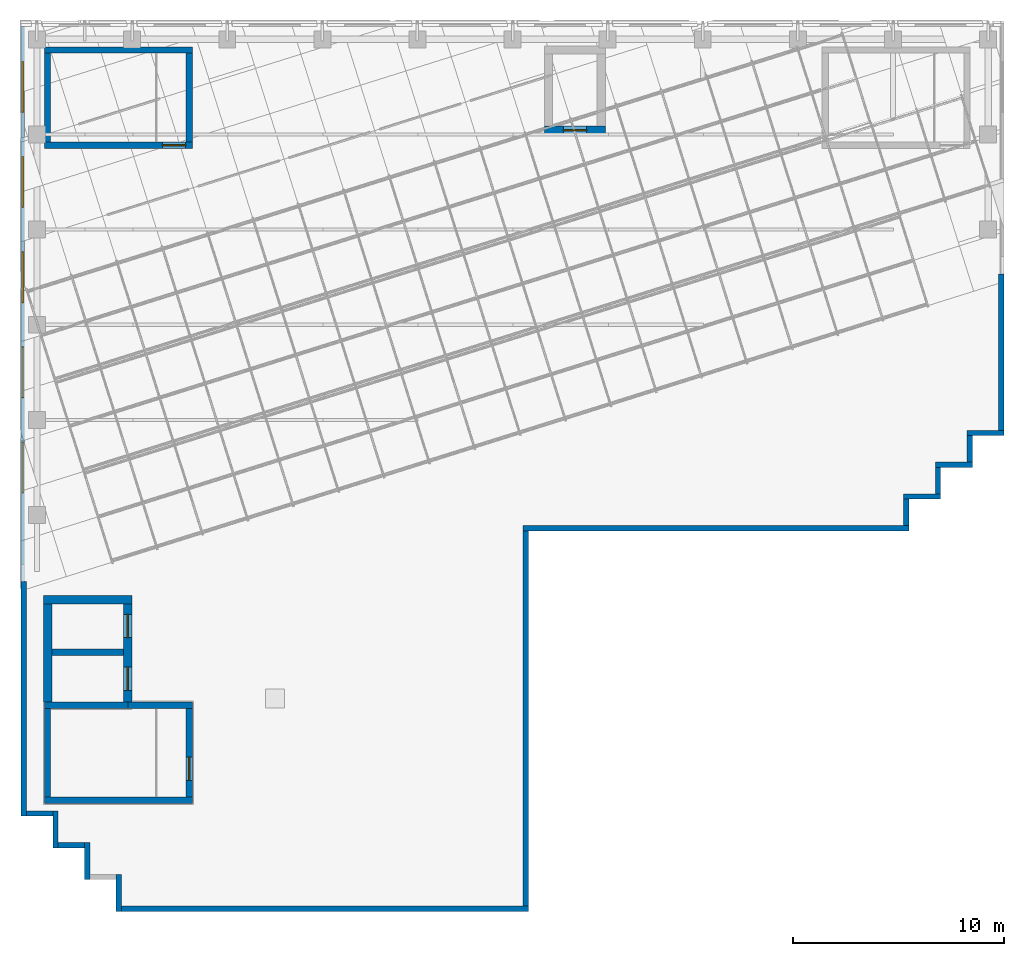
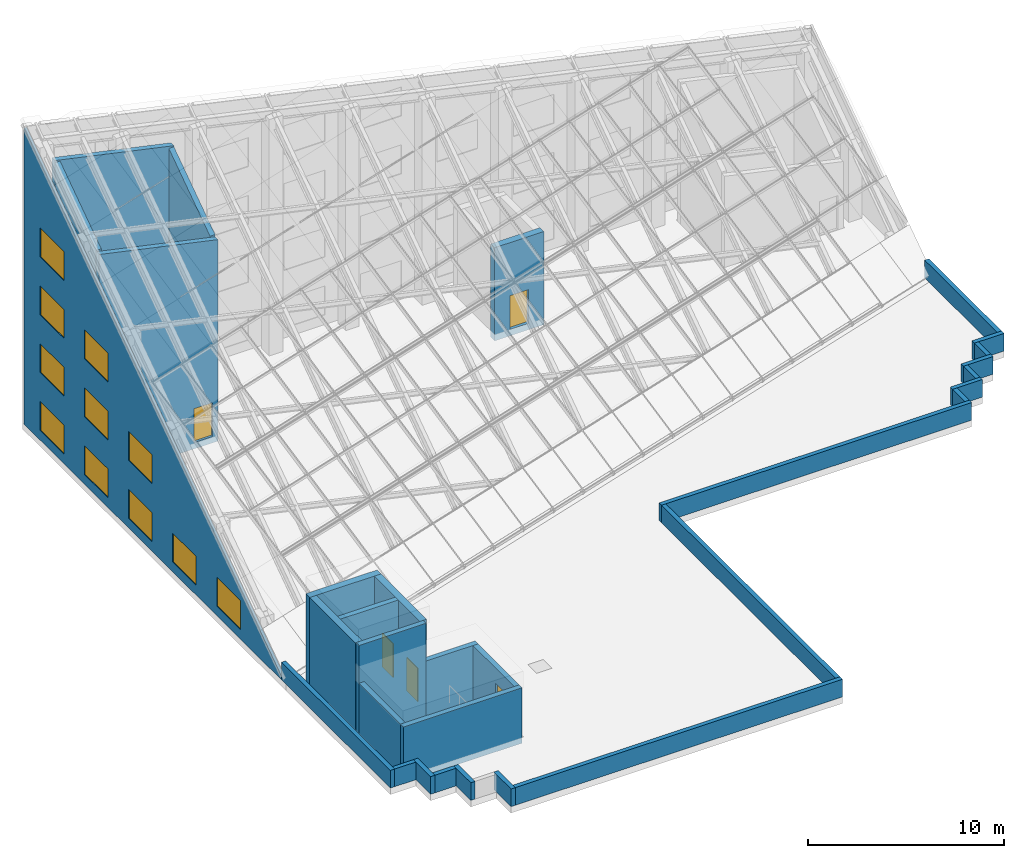
# One storey, part 10 of 14: 31 walls, 11 windows, 5 doors, 16 openings.
"""IFC4 building model written with IfcOpenShell, lengths in metres."""

import ifcopenshell
import ifcopenshell.guid

model = None  # the IFC model being written
_history = None  # IfcOwnerHistory: only IFC2X3 demands one
_inside = {}  # id of a spatial element -> (the spatial element, [elements in it])
_under = {}  # id of a project, library or spatial element -> (it, [spatial elements below it])
_declared = {}  # id of a project -> (the project, [libraries it declares])
_typed = {}  # id of a type object -> (the type object, [elements of that type])
_made_of = {}  # id of a material, layer set ... -> (it, [elements and type objects made of it])


def new_model(schema):
    """Start an empty IFC model of exactly this schema.

    Asked for "IFC4X3", IfcOpenShell would pick the latest addendum, in which some entities
    have other attributes; the version numbers below select the first issue.
    IFC2X3 requires an IfcOwnerHistory on every rooted entity: one is made here for all.
    """
    global model, _history
    if schema == "IFC4X3":
        model = ifcopenshell.file(schema_version=(4, 3, 0, 0))
    else:
        model = ifcopenshell.file(schema=schema)
    _inside.clear()
    _under.clear()
    _declared.clear()
    _typed.clear()
    _made_of.clear()
    _history = None
    if model.schema == "IFC2X3":
        org = make("IfcOrganization", Name="unknown")
        user = make(
            "IfcPersonAndOrganization",
            ThePerson=make("IfcPerson", FamilyName="unknown"),
            TheOrganization=org,
        )
        app = make(
            "IfcApplication",
            ApplicationDeveloper=org,
            Version="unknown",
            ApplicationFullName="unknown",
            ApplicationIdentifier="unknown",
        )
        _history = make(
            "IfcOwnerHistory",
            OwningUser=user,
            OwningApplication=app,
            ChangeAction="ADDED",
            CreationDate=0,
        )
    return model


def make(cls, **values):
    """One entity of the class cls with the attributes given. An attribute that is None is left unset."""
    return model.create_entity(
        cls, **{name: value for name, value in values.items() if value is not None}
    )


def rooted(cls, **values):
    """An entity with a GlobalId (a new one), such as an element, a storey or a relation."""
    return make(cls, GlobalId=ifcopenshell.guid.new(), OwnerHistory=_history, **values)


def si_unit(unit_type, name, prefix=None):
    """IfcSIUnit, for example si_unit("LENGTHUNIT", "METRE", prefix="MILLI")."""
    return make("IfcSIUnit", UnitType=unit_type, Prefix=prefix, Name=name)


def assignment(units):
    """IfcUnitAssignment: the units of a project."""
    return None if units is None else make("IfcUnitAssignment", Units=units)


def point(xyz):
    """IfcCartesianPoint."""
    return None if xyz is None else make("IfcCartesianPoint", Coordinates=xyz)


def direction(xyz):
    """IfcDirection."""
    return None if xyz is None else make("IfcDirection", DirectionRatios=xyz)


def frame(location, z_axis=None, x_axis=None):
    """IfcAxis2Placement3D, a coordinate frame: its origin and axes. An axis left out is left unset."""
    return make(
        "IfcAxis2Placement3D",
        Location=point(location),
        Axis=direction(z_axis),
        RefDirection=direction(x_axis),
    )


def frame_2d(location, x_axis=None):
    """IfcAxis2Placement2D, a coordinate frame in the plane: its origin and x axis."""
    return make(
        "IfcAxis2Placement2D", Location=point(location), RefDirection=direction(x_axis)
    )


def origin():
    """The frame at (0, 0, 0) with its axes left unset."""
    return frame((0.0, 0.0, 0.0))


def place(relative_to, where):
    """IfcLocalPlacement: puts the frame where relative to a parent placement (None: the world)."""
    return make(
        "IfcLocalPlacement", PlacementRelTo=relative_to, RelativePlacement=where
    )


def context(
    kind, dimensions, precision=None, world=None, true_north=None, identifier=None
):
    """IfcGeometricRepresentationContext, for example the 3D "Model" context."""
    return make(
        "IfcGeometricRepresentationContext",
        ContextIdentifier=identifier,
        ContextType=kind,
        CoordinateSpaceDimension=dimensions,
        Precision=precision,
        WorldCoordinateSystem=world,
        TrueNorth=true_north,
    )


def subcontext(parent, identifier, kind, view, scale=None):
    """IfcGeometricRepresentationSubContext, for example "Body" below "Model"."""
    return make(
        "IfcGeometricRepresentationSubContext",
        ContextIdentifier=identifier,
        ContextType=kind,
        ParentContext=parent,
        TargetScale=scale,
        TargetView=view,
    )


def project(units=None, contexts=None):
    """IfcProject with its units and contexts."""
    return rooted(
        "IfcProject",
        Name="project",
        RepresentationContexts=contexts,
        UnitsInContext=assignment(units),
    )


def spatial(cls, under=None, at=None, **own):
    """A site, building, storey or space (cls), placed at a placement, below another one or the project."""
    s = rooted(cls, ObjectPlacement=at, **own)
    if under is not None:
        _under.setdefault(under.id(), (under, []))[1].append(s)
    return s


def polyline(points):
    """IfcPolyline through the points."""
    return make("IfcPolyline", Points=[point(p) for p in points])


def profile(cls, at=None, kind="AREA", **sizes):
    """A parametric profile (cls). Its sizes go by their IFC names, for example OverallWidth=200.0."""
    return make(cls, ProfileType=kind, Position=at, **sizes)


def rectangle(**sizes):
    """IfcRectangleProfileDef."""
    return profile("IfcRectangleProfileDef", **sizes)


def outline(outer, holes=None, kind="AREA"):
    """IfcArbitraryClosedProfileDef: a profile drawn as a closed curve; with holes, ...WithVoids."""
    if holes is None:
        return make("IfcArbitraryClosedProfileDef", ProfileType=kind, OuterCurve=outer)
    return make(
        "IfcArbitraryProfileDefWithVoids",
        ProfileType=kind,
        OuterCurve=outer,
        InnerCurves=holes,
    )


def extrude(swept, where, along, depth):
    """IfcExtrudedAreaSolid: the profile swept, set in the frame where, extruded along a direction by depth."""
    return make(
        "IfcExtrudedAreaSolid",
        SweptArea=swept,
        Position=where,
        ExtrudedDirection=direction(along),
        Depth=depth,
    )


def shape(context_of_items, identifier, shape_type, items):
    """IfcShapeRepresentation: the items that make up one representation, for example the "Body"."""
    return make(
        "IfcShapeRepresentation",
        ContextOfItems=context_of_items,
        RepresentationIdentifier=identifier,
        RepresentationType=shape_type,
        Items=items,
    )


def material(Name=None, Category=None):
    """IfcMaterial."""
    return make("IfcMaterial", Name=Name, Category=Category)


def layer(
    of_material, thickness, ventilated=None, Name=None, Category=None, Priority=None
):
    """IfcMaterialLayer: one layer of a wall or slab, of a material (None: an air gap)."""
    return make(
        "IfcMaterialLayer",
        Material=of_material,
        LayerThickness=thickness,
        IsVentilated=ventilated,
        Name=Name,
        Category=Category,
        Priority=Priority,
    )


def layer_set(layers, Name=None):
    """IfcMaterialLayerSet."""
    return make("IfcMaterialLayerSet", MaterialLayers=layers, LayerSetName=Name)


def made_of(thing, what):
    """Note that an element or type object is made of a material, layer set ...; save() writes the relation."""
    if what is not None:
        _made_of.setdefault(what.id(), (what, []))[1].append(thing)
    return thing


def type_object(cls, material=None, **own):
    """A type object (cls), such as IfcWallType, which elements share."""
    return made_of(rooted(cls, **own), material)


def element(
    cls,
    number,
    at=None,
    inside=None,
    cuts=None,
    type_object=None,
    material=None,
    context=None,
    identifier="Body",
    shape_type=None,
    held_by="IfcProductDefinitionShape",
    body=None,
    shapes=None,
    **own,
):
    """One element of the class cls, such as IfcWall. Its Tag is "e" and its number.

    at: its placement. inside: the storey or other place that contains it. cuts: it is an
    opening in that element (IfcRelVoidsElement). A single representation is given by context,
    identifier, shape_type and body (its items); several are given by shapes. held_by: the class
    of the entity that holds the representations. save() writes the other relations.
    """
    e = rooted(cls, Tag="e%d" % number, ObjectPlacement=at, **own)
    if body is not None:
        shapes = [shape(context, identifier, shape_type, body)]
    if shapes is not None:
        e.Representation = make(held_by, Representations=shapes)
    if inside is not None:
        _inside.setdefault(inside.id(), (inside, []))[1].append(e)
    if cuts is not None:
        rooted(
            "IfcRelVoidsElement", RelatingBuildingElement=cuts, RelatedOpeningElement=e
        )
    if type_object is not None:
        _typed.setdefault(type_object.id(), (type_object, []))[1].append(e)
    return made_of(e, material)


def fill(opening, filler):
    """IfcRelFillsElement: the door or window that sits in an opening."""
    return rooted(
        "IfcRelFillsElement",
        RelatingOpeningElement=opening,
        RelatedBuildingElement=filler,
    )


def aggregate(whole, parts):
    """IfcRelAggregates: a whole, such as a stair, and the parts it consists of."""
    return rooted("IfcRelAggregates", RelatingObject=whole, RelatedObjects=parts)


def save(model, path):
    """Write the relations noted so far, then the file.

    IfcRelAggregates (storeys below a building ...), IfcRelContainedInSpatialStructure (elements
    in a storey), IfcRelDefinesByType, IfcRelAssociatesMaterial and IfcRelDeclares: one each for
    every whole, place, type object, material and project.
    """
    for whole, parts in _under.values():
        aggregate(whole, parts)
    for where, things in _inside.values():
        rooted(
            "IfcRelContainedInSpatialStructure",
            RelatedElements=things,
            RelatingStructure=where,
        )
    for kind, things in _typed.values():
        rooted("IfcRelDefinesByType", RelatedObjects=things, RelatingType=kind)
    for what, things in _made_of.values():
        rooted("IfcRelAssociatesMaterial", RelatedObjects=things, RelatingMaterial=what)
    for by, libraries in _declared.values():
        rooted("IfcRelDeclares", RelatingContext=by, RelatedDefinitions=libraries)
    model.write(path)


model = new_model("IFC4")

# Units and contexts
model_context = context("Model", 3, precision=1e-05, world=origin(), true_north=direction((0.0, 1.0)))
body_context = subcontext(model_context, "Body", "Model", "MODEL_VIEW")
ifc_project = project(units=[si_unit("LENGTHUNIT", "METRE"), si_unit("AREAUNIT", "SQUARE_METRE"), si_unit("VOLUMEUNIT", "CUBIC_METRE"), si_unit("PLANEANGLEUNIT", "RADIAN"), si_unit("MASSUNIT", "GRAM", prefix="KILO")], contexts=[model_context])

# Site, building, storey
site_placement = place(None, origin())
site = spatial("IfcSite", under=ifc_project, at=site_placement, CompositionType="ELEMENT")
building_placement = place(site_placement, origin())
building = spatial("IfcBuilding", under=site, at=building_placement, Name="Firuza Court", CompositionType="ELEMENT")
storey_placement = place(building_placement, frame((0.0, 0.0, 266.199951171875)))
storey = spatial("IfcBuildingStorey", under=building, at=storey_placement, Name="L68 Crown", CompositionType="ELEMENT", Elevation=266.199951171875)

# Walls
ifc_material_1 = material(Name="Concrete C50/60", Category="concrete")
ifc_layer_1 = layer(ifc_material_1, 0.300048828125)
ifc_layer_set_1 = layer_set([ifc_layer_1], Name="Concrete C50/60")
wall_type_1 = type_object("IfcWallType", Name="Core wall 300 C50/60", PredefinedType="SHEAR", material=ifc_layer_set_1)
wall_1_placement = place(storey_placement, frame((0.35009765625, 22.5, -0.39990234375), z_axis=(0.0, 0.0, 1.0), x_axis=(1.0, 0.0, 0.0)))
element("IfcWall", 1, at=wall_1_placement, inside=storey, type_object=wall_type_1, Name="Core wall stair L68", PredefinedType="SHEAR", context=body_context, shape_type="SweptSolid", body=[
    extrude(rectangle(XDim=7.0, YDim=0.300048828125, at=frame_2d((3.5, 0.0))), origin(), (0.0, 0.0, 1.0), 3.449951171875),
])
wall_2_placement = place(storey_placement, frame((0.35009765625, 27.0, -0.39990234375), z_axis=(0.0, 0.0, 1.0), x_axis=(1.0, 0.0, 0.0)))
element("IfcWall", 2, at=wall_2_placement, inside=storey, type_object=wall_type_1, Name="Core wall lift shaft L68", PredefinedType="SHEAR", context=body_context, shape_type="SweptSolid", body=[
    extrude(rectangle(XDim=3.949951171875, YDim=0.300048828125, at=frame_2d((1.97509765625, 0.0))), origin(), (0.0, 0.0, 1.0), 5.800048828125),
])

# Wall, opening, door
wall_3_placement = place(storey_placement, frame((0.35009765625, 53.5, -0.39990234375), z_axis=(0.0, 0.0, 1.0), x_axis=(1.0, 0.0, 0.0)))
wall_3 = element("IfcWall", 3, at=wall_3_placement, inside=storey, type_object=wall_type_1, Name="Core wall stair L68", PredefinedType="SHEAR", context=body_context, shape_type="SweptSolid", body=[
    extrude(outline(polyline([(0.0, 0.0), (7.0, 0.0), (7.0, 12.529052734375), (0.0, 14.053955078125), (0.0, 0.0)])), frame((0.0, 0.14990234375, 0.0), z_axis=(0.0, -1.0, 0.0), x_axis=(1.0, 0.0, 0.0)), (0.0, 0.0, 1.0), 0.300048828125),
])
opening_1_placement = place(wall_3_placement, frame((5.580078125, 0.0, 0.39990234375)))
opening_1 = element("IfcOpeningElement", 4, at=opening_1_placement, cuts=wall_3, Name="Opening D68003", PredefinedType="OPENING", context=body_context, shape_type="SweptSolid", body=[
    extrude(rectangle(XDim=1.10009765625, YDim=2.10009765625, at=frame_2d((0.550048828125, 1.050048828125))), frame((0.0, 0.162109375, 0.0), z_axis=(0.0, -1.0, 0.0), x_axis=(1.0, 0.0, 0.0)), (0.0, 0.0, 1.0), 0.323974609375),
])
ifc_material_2 = material(Name="Timber door leaf in hardwood frame", Category="wood")
door_type_1 = type_object("IfcDoorType", Name="Stair door 1100", OperationType="SINGLE_SWING_LEFT", PredefinedType="DOOR", material=ifc_material_2)
door_1_placement = place(opening_1_placement, origin())
door_1 = element("IfcDoor", 5, at=door_1_placement, inside=storey, type_object=door_type_1, Name="Stair door S3", OperationType="SINGLE_SWING_LEFT", OverallHeight=2.10009765625, OverallWidth=1.10009765625, PredefinedType="DOOR", context=body_context, shape_type="SweptSolid", body=[
    extrude(rectangle(XDim=1.10009765625, YDim=2.10009765625, at=frame_2d((0.550048828125, 1.050048828125))), frame((0.0, 0.02490234375, 0.0), z_axis=(0.0, -1.0, 0.0), x_axis=(1.0, 0.0, 0.0)), (0.0, 0.0, 1.0), 0.050048828125),
])
fill(opening_1, door_1)

# Walls
wall_4_placement = place(storey_placement, frame((0.35009765625, 58.0, -0.39990234375), z_axis=(0.0, 0.0, 1.0), x_axis=(1.0, 0.0, 0.0)))
element("IfcWall", 6, at=wall_4_placement, inside=storey, type_object=wall_type_1, Name="Core wall stair L68", PredefinedType="SHEAR", context=body_context, shape_type="SweptSolid", body=[
    extrude(outline(polyline([(0.0, 0.0), (7.0, 0.0), (7.0, 15.64697265625), (0.0, 17.1728515625), (0.0, 0.0)])), frame((0.0, 0.14990234375, 0.0), z_axis=(0.0, -1.0, 0.0), x_axis=(1.0, 0.0, 0.0)), (0.0, 0.0, 1.0), 0.300048828125),
])
wall_5_placement = place(storey_placement, frame((0.5, 22.64990234375, -0.39990234375), z_axis=(0.0, 0.0, 1.0), x_axis=(0.0, 1.0, 0.0)))
element("IfcWall", 7, at=wall_5_placement, inside=storey, type_object=wall_type_1, Name="Core wall stair L68", PredefinedType="SHEAR", context=body_context, shape_type="SweptSolid", body=[
    extrude(rectangle(XDim=4.2001953125, YDim=0.300048828125, at=frame_2d((2.10009765625, 0.0))), origin(), (0.0, 0.0, 1.0), 3.449951171875),
])
wall_6_placement = place(storey_placement, frame((0.5, 53.64990234375, -0.39990234375), z_axis=(0.0, 0.0, 1.0), x_axis=(0.0, 1.0, 0.0)))
element("IfcWall", 8, at=wall_6_placement, inside=storey, type_object=wall_type_1, Name="Core wall stair L68", PredefinedType="SHEAR", context=body_context, shape_type="SweptSolid", body=[
    extrude(outline(polyline([(0.0, 0.0), (4.2001953125, 0.0), (4.199951171875, 17.035888671875), (0.0, 14.125), (0.0, 0.0)])), frame((0.0, 0.14990234375, 0.0), z_axis=(0.0, -1.0, 0.0), x_axis=(1.0, 0.0, 0.0)), (0.0, 0.0, 1.0), 0.300048828125),
])
wall_7_placement = place(storey_placement, frame((0.699951171875, 29.5, -0.39990234375), z_axis=(0.0, 0.0, 1.0), x_axis=(1.0, 0.0, 0.0)))
element("IfcWall", 9, at=wall_7_placement, inside=storey, type_object=wall_type_1, Name="Core wall lift shaft L68", PredefinedType="SHEAR", context=body_context, shape_type="SweptSolid", body=[
    extrude(rectangle(XDim=3.400146484375, YDim=0.300048828125, at=frame_2d((1.7001953125, 0.0))), origin(), (0.0, 0.0, 1.0), 5.800048828125),
])
wall_8_placement = place(storey_placement, frame((4.300048828125, 27.0, -0.39990234375), z_axis=(0.0, 0.0, 1.0), x_axis=(1.0, 0.0, 0.0)))
element("IfcWall", 10, at=wall_8_placement, inside=storey, type_object=wall_type_1, Name="Core wall stair L68", PredefinedType="SHEAR", context=body_context, shape_type="SweptSolid", body=[
    extrude(rectangle(XDim=3.050048828125, YDim=0.300048828125, at=frame_2d((1.52490234375, 0.0))), origin(), (0.0, 0.0, 1.0), 3.449951171875),
])

# Wall, opening, door
wall_9_placement = place(storey_placement, frame((7.199951171875, 22.64990234375, -0.39990234375), z_axis=(0.0, 0.0, 1.0), x_axis=(0.0, 1.0, 0.0)))
wall_9 = element("IfcWall", 11, at=wall_9_placement, inside=storey, type_object=wall_type_1, Name="Core wall stair L68", PredefinedType="SHEAR", context=body_context, shape_type="SweptSolid", body=[
    extrude(rectangle(XDim=4.2001953125, YDim=0.300048828125, at=frame_2d((2.10009765625, 0.0))), origin(), (0.0, 0.0, 1.0), 3.449951171875),
])
opening_2_placement = place(wall_9_placement, frame((0.800048828125, 0.0, 0.39990234375)))
opening_2 = element("IfcOpeningElement", 12, at=opening_2_placement, cuts=wall_9, Name="Opening D68002", PredefinedType="OPENING", context=body_context, shape_type="SweptSolid", body=[
    extrude(rectangle(XDim=1.10009765625, YDim=2.10009765625, at=frame_2d((0.550048828125, 1.050048828125))), frame((0.0, 0.162109375, 0.0), z_axis=(0.0, -1.0, 0.0), x_axis=(1.0, 0.0, 0.0)), (0.0, 0.0, 1.0), 0.323974609375),
])
door_2_placement = place(opening_2_placement, origin())
door_2 = element("IfcDoor", 13, at=door_2_placement, inside=storey, type_object=door_type_1, Name="Stair door S2", OperationType="SINGLE_SWING_LEFT", OverallHeight=2.10009765625, OverallWidth=1.10009765625, PredefinedType="DOOR", context=body_context, shape_type="SweptSolid", body=[
    extrude(rectangle(XDim=1.10009765625, YDim=2.10009765625, at=frame_2d((0.550048828125, 1.050048828125))), frame((0.0, 0.02490234375, 0.0), z_axis=(0.0, -1.0, 0.0), x_axis=(1.0, 0.0, 0.0)), (0.0, 0.0, 1.0), 0.050048828125),
])
fill(opening_2, door_2)

# Walls
wall_10_placement = place(storey_placement, frame((7.199951171875, 53.64990234375, -0.39990234375), z_axis=(0.0, 0.0, 1.0), x_axis=(0.0, 1.0, 0.0)))
element("IfcWall", 14, at=wall_10_placement, inside=storey, type_object=wall_type_1, Name="Core wall stair L68", PredefinedType="SHEAR", context=body_context, shape_type="SweptSolid", body=[
    extrude(outline(polyline([(0.0, 0.0), (4.2001953125, 0.0), (4.199951171875, 15.575927734375), (0.0, 12.6650390625), (0.0, 0.0)])), frame((0.0, 0.14990234375, 0.0), z_axis=(0.0, -1.0, 0.0), x_axis=(1.0, 0.0, 0.0)), (0.0, 0.0, 1.0), 0.300048828125),
])
ifc_layer_2 = layer(ifc_material_1, 0.39990234375)
ifc_layer_set_2 = layer_set([ifc_layer_2], Name="Concrete C50/60")
wall_type_2 = type_object("IfcWallType", Name="Core wall 400 C50/60", PredefinedType="SHEAR", material=ifc_layer_set_2)
wall_11_placement = place(storey_placement, frame((0.300048828125, 32.0, -0.39990234375), z_axis=(0.0, 0.0, 1.0), x_axis=(1.0, 0.0, 0.0)))
element("IfcWall", 15, at=wall_11_placement, inside=storey, type_object=wall_type_2, Name="Core wall lift shaft L68", PredefinedType="SHEAR", context=body_context, shape_type="SweptSolid", body=[
    extrude(rectangle(XDim=4.199951171875, YDim=0.39990234375, at=frame_2d((2.10009765625, 0.0))), origin(), (0.0, 0.0, 1.0), 5.800048828125),
])
wall_12_placement = place(storey_placement, frame((0.5, 27.14990234375, -0.39990234375), z_axis=(0.0, 0.0, 1.0), x_axis=(0.0, 1.0, 0.0)))
element("IfcWall", 16, at=wall_12_placement, inside=storey, type_object=wall_type_2, Name="Core wall lift shaft L68", PredefinedType="SHEAR", context=body_context, shape_type="SweptSolid", body=[
    extrude(rectangle(XDim=4.650146484375, YDim=0.39990234375, at=frame_2d((2.3251953125, 0.0))), origin(), (0.0, 0.0, 1.0), 5.800048828125),
])

# Wall, openings, doors
wall_13_placement = place(storey_placement, frame((4.300048828125, 27.14990234375, -0.39990234375), z_axis=(0.0, 0.0, 1.0), x_axis=(0.0, 1.0, 0.0)))
wall_13 = element("IfcWall", 17, at=wall_13_placement, inside=storey, type_object=wall_type_2, Name="Core wall lift shaft L68", PredefinedType="SHEAR", context=body_context, shape_type="SweptSolid", body=[
    extrude(rectangle(XDim=4.650146484375, YDim=0.39990234375, at=frame_2d((2.3251953125, 0.0))), origin(), (0.0, 0.0, 1.0), 5.800048828125),
])
opening_3_placement = place(wall_13_placement, frame((3.050048828125, 0.0, 0.39990234375)))
opening_3 = element("IfcOpeningElement", 18, at=opening_3_placement, cuts=wall_13, Name="Opening LD-FL1-68", PredefinedType="OPENING", context=body_context, shape_type="SweptSolid", body=[
    extrude(rectangle(XDim=1.10009765625, YDim=2.10009765625, at=frame_2d((0.550048828125, 1.050048828125))), frame((0.0, 0.2119140625, 0.0), z_axis=(0.0, -1.0, 0.0), x_axis=(1.0, 0.0, 0.0)), (0.0, 0.0, 1.0), 0.423828125),
])
opening_4_placement = place(wall_13_placement, frame((0.550048828125, 0.0, 0.39990234375)))
opening_4 = element("IfcOpeningElement", 19, at=opening_4_placement, cuts=wall_13, Name="Opening LD-FL2-68", PredefinedType="OPENING", context=body_context, shape_type="SweptSolid", body=[
    extrude(rectangle(XDim=1.10009765625, YDim=2.10009765625, at=frame_2d((0.550048828125, 1.050048828125))), frame((0.0, 0.2119140625, 0.0), z_axis=(0.0, -1.0, 0.0), x_axis=(1.0, 0.0, 0.0)), (0.0, 0.0, 1.0), 0.423828125),
])
ifc_material_3 = material(Name="Stainless steel 1.4301 door leaf", Category="steel")
door_type_2 = type_object("IfcDoorType", Name="Lift landing door 1100", OperationType="SLIDING_TO_LEFT", PredefinedType="DOOR", material=ifc_material_3)
door_3_placement = place(opening_3_placement, origin())
door_3 = element("IfcDoor", 20, at=door_3_placement, inside=storey, type_object=door_type_2, Name="Landing door FL1", OperationType="SLIDING_TO_LEFT", OverallHeight=2.10009765625, OverallWidth=1.10009765625, PredefinedType="DOOR", context=body_context, shape_type="SweptSolid", body=[
    extrude(rectangle(XDim=1.10009765625, YDim=2.10009765625, at=frame_2d((0.550048828125, 1.050048828125))), frame((0.0, 0.02490234375, 0.0), z_axis=(0.0, -1.0, 0.0), x_axis=(1.0, 0.0, 0.0)), (0.0, 0.0, 1.0), 0.050048828125),
])
fill(opening_3, door_3)
door_4_placement = place(opening_4_placement, origin())
door_4 = element("IfcDoor", 21, at=door_4_placement, inside=storey, type_object=door_type_2, Name="Landing door FL2", OperationType="SLIDING_TO_LEFT", OverallHeight=2.10009765625, OverallWidth=1.10009765625, PredefinedType="DOOR", context=body_context, shape_type="SweptSolid", body=[
    extrude(rectangle(XDim=1.10009765625, YDim=2.10009765625, at=frame_2d((0.550048828125, 1.050048828125))), frame((0.0, 0.02490234375, 0.0), z_axis=(0.0, -1.0, 0.0), x_axis=(1.0, 0.0, 0.0)), (0.0, 0.0, 1.0), 0.050048828125),
])
fill(opening_4, door_4)

# Wall, opening, door
wall_14_placement = place(storey_placement, frame((24.0, 54.199951171875, -0.39990234375), z_axis=(0.0, 0.0, 1.0), x_axis=(1.0, 0.0, 0.0)))
wall_14 = element("IfcWall", 22, at=wall_14_placement, inside=storey, type_object=wall_type_2, Name="Core wall lift shaft L68", PredefinedType="SHEAR", context=body_context, shape_type="SweptSolid", body=[
    extrude(rectangle(XDim=2.89990234375, YDim=0.39990234375, at=frame_2d((1.449951171875, 0.0))), origin(), (0.0, 0.0, 1.0), 5.800048828125),
])
opening_5_placement = place(wall_14_placement, frame((0.89990234375, 0.0, 0.39990234375)))
opening_5 = element("IfcOpeningElement", 23, at=opening_5_placement, cuts=wall_14, Name="Opening LD-FL3-68", PredefinedType="OPENING", context=body_context, shape_type="SweptSolid", body=[
    extrude(rectangle(XDim=1.10009765625, YDim=2.10009765625, at=frame_2d((0.550048828125, 1.050048828125))), frame((0.0, 0.2119140625, 0.0), z_axis=(0.0, -1.0, 0.0), x_axis=(1.0, 0.0, 0.0)), (0.0, 0.0, 1.0), 0.423828125),
])
door_5_placement = place(opening_5_placement, origin())
door_5 = element("IfcDoor", 24, at=door_5_placement, inside=storey, type_object=door_type_2, Name="Landing door FL3", OperationType="SLIDING_TO_LEFT", OverallHeight=2.10009765625, OverallWidth=1.10009765625, PredefinedType="DOOR", context=body_context, shape_type="SweptSolid", body=[
    extrude(rectangle(XDim=1.10009765625, YDim=2.10009765625, at=frame_2d((0.550048828125, 1.050048828125))), frame((0.0, 0.02490234375, 0.0), z_axis=(0.0, -1.0, 0.0), x_axis=(1.0, 0.0, 0.0)), (0.0, 0.0, 1.0), 0.050048828125),
])
fill(opening_5, door_5)

# Walls
ifc_material_4 = material(Name="Concrete C40/50 precast", Category="concrete")
ifc_layer_3 = layer(ifc_material_4, 0.22998046875)
ifc_material_5 = material(Name="Ceramic tile", Category="ceramic")
ifc_layer_4 = layer(ifc_material_5, 0.02001953125)
ifc_layer_set_3 = layer_set([ifc_layer_3, ifc_layer_4], Name="Concrete C40/50 precast")
wall_type_3 = type_object("IfcWallType", Name="Parapet wall 250", PredefinedType="PARAPET", material=ifc_layer_set_3)
wall_15_placement = place(storey_placement, frame((-0.5, 21.875, 0.0), z_axis=(0.0, 0.0, 1.0), x_axis=(1.0, 0.0, 0.0)))
element("IfcWall", 25, at=wall_15_placement, inside=storey, type_object=wall_type_3, Name="Roof parapet L68", PredefinedType="PARAPET", context=body_context, shape_type="SweptSolid", body=[
    extrude(rectangle(XDim=1.25, YDim=0.25, at=frame_2d((0.625, 0.0))), origin(), (0.0, 0.0, 1.0), 1.10009765625),
])
wall_16_placement = place(storey_placement, frame((0.875, 22.0, 0.0), z_axis=(0.0, 0.0, 1.0), x_axis=(0.0, -1.0, 0.0)))
element("IfcWall", 26, at=wall_16_placement, inside=storey, type_object=wall_type_3, Name="Roof parapet L68", PredefinedType="PARAPET", context=body_context, shape_type="SweptSolid", body=[
    extrude(rectangle(XDim=1.75, YDim=0.25, at=frame_2d((0.875, 0.0))), origin(), (0.0, 0.0, 1.0), 1.10009765625),
])
wall_17_placement = place(storey_placement, frame((1.0, 20.375, 0.0), z_axis=(0.0, 0.0, 1.0), x_axis=(1.0, 0.0, 0.0)))
element("IfcWall", 27, at=wall_17_placement, inside=storey, type_object=wall_type_3, Name="Roof parapet L68", PredefinedType="PARAPET", context=body_context, shape_type="SweptSolid", body=[
    extrude(rectangle(XDim=1.25, YDim=0.25, at=frame_2d((0.625, 0.0))), origin(), (0.0, 0.0, 1.0), 1.10009765625),
])
for number, where, z_axis, x_axis, name in (
    (28, (2.375, 20.5, 0.0), (0.0, 0.0, 1.0), (0.0, -1.0, 0.0), "Roof parapet L68"),
    (29, (3.875, 19.0, 0.0), (0.0, 0.0, 1.0), (0.0, -1.0, 0.0), "Roof parapet L68"),
):
    element("IfcWall", number, at=place(storey_placement, frame(where, z_axis=z_axis, x_axis=x_axis)), inside=storey, type_object=wall_type_3, Name=name, PredefinedType="PARAPET", context=body_context, shape_type="SweptSolid", body=[
        extrude(rectangle(XDim=1.75, YDim=0.25, at=frame_2d((0.875, 0.0))), origin(), (0.0, 0.0, 1.0), 1.10009765625),
    ])
wall_18_placement = place(storey_placement, frame((4.0, 17.375, 0.0), z_axis=(0.0, 0.0, 1.0), x_axis=(1.0, 0.0, 0.0)))
element("IfcWall", 30, at=wall_18_placement, inside=storey, type_object=wall_type_3, Name="Roof parapet L68", PredefinedType="PARAPET", context=body_context, shape_type="SweptSolid", body=[
    extrude(rectangle(XDim=19.25, YDim=0.25, at=frame_2d((9.625, 0.0))), origin(), (0.0, 0.0, 1.0), 1.10009765625),
])
wall_19_placement = place(storey_placement, frame((23.125, 17.5, 0.0), z_axis=(0.0, 0.0, 1.0), x_axis=(0.0, 1.0, 0.0)))
element("IfcWall", 31, at=wall_19_placement, inside=storey, type_object=wall_type_3, Name="Roof parapet L68", PredefinedType="PARAPET", context=body_context, shape_type="SweptSolid", body=[
    extrude(rectangle(XDim=17.75, YDim=0.25, at=frame_2d((8.875, 0.0))), origin(), (0.0, 0.0, 1.0), 1.10009765625),
])
wall_20_placement = place(storey_placement, frame((23.0, 35.375, 0.0), z_axis=(0.0, 0.0, 1.0), x_axis=(1.0, 0.0, 0.0)))
element("IfcWall", 32, at=wall_20_placement, inside=storey, type_object=wall_type_3, Name="Roof parapet L68", PredefinedType="PARAPET", context=body_context, shape_type="SweptSolid", body=[
    extrude(rectangle(XDim=18.25, YDim=0.25, at=frame_2d((9.125, 0.0))), origin(), (0.0, 0.0, 1.0), 1.10009765625),
])
wall_21_placement = place(storey_placement, frame((41.125, 35.5, 0.0), z_axis=(0.0, 0.0, 1.0), x_axis=(0.0, 1.0, 0.0)))
element("IfcWall", 33, at=wall_21_placement, inside=storey, type_object=wall_type_3, Name="Roof parapet L68", PredefinedType="PARAPET", context=body_context, shape_type="SweptSolid", body=[
    extrude(rectangle(XDim=1.25, YDim=0.25, at=frame_2d((0.625, 0.0))), origin(), (0.0, 0.0, 1.0), 1.10009765625),
])
wall_22_placement = place(storey_placement, frame((41.0, 36.875, 0.0), z_axis=(0.0, 0.0, 1.0), x_axis=(1.0, 0.0, 0.0)))
element("IfcWall", 34, at=wall_22_placement, inside=storey, type_object=wall_type_3, Name="Roof parapet L68", PredefinedType="PARAPET", context=body_context, shape_type="SweptSolid", body=[
    extrude(rectangle(XDim=1.75, YDim=0.25, at=frame_2d((0.875, 0.0))), origin(), (0.0, 0.0, 1.0), 1.10009765625),
])
wall_23_placement = place(storey_placement, frame((42.625, 37.0, 0.0), z_axis=(0.0, 0.0, 1.0), x_axis=(0.0, 1.0, 0.0)))
element("IfcWall", 35, at=wall_23_placement, inside=storey, type_object=wall_type_3, Name="Roof parapet L68", PredefinedType="PARAPET", context=body_context, shape_type="SweptSolid", body=[
    extrude(rectangle(XDim=1.25, YDim=0.25, at=frame_2d((0.625, 0.0))), origin(), (0.0, 0.0, 1.0), 1.10009765625),
])
wall_24_placement = place(storey_placement, frame((42.5, 38.375, 0.0), z_axis=(0.0, 0.0, 1.0), x_axis=(1.0, 0.0, 0.0)))
element("IfcWall", 36, at=wall_24_placement, inside=storey, type_object=wall_type_3, Name="Roof parapet L68", PredefinedType="PARAPET", context=body_context, shape_type="SweptSolid", body=[
    extrude(rectangle(XDim=1.75, YDim=0.25, at=frame_2d((0.875, 0.0))), origin(), (0.0, 0.0, 1.0), 1.10009765625),
])
wall_25_placement = place(storey_placement, frame((44.125, 38.5, 0.0), z_axis=(0.0, 0.0, 1.0), x_axis=(0.0, 1.0, 0.0)))
element("IfcWall", 37, at=wall_25_placement, inside=storey, type_object=wall_type_3, Name="Roof parapet L68", PredefinedType="PARAPET", context=body_context, shape_type="SweptSolid", body=[
    extrude(rectangle(XDim=1.25, YDim=0.25, at=frame_2d((0.625, 0.0))), origin(), (0.0, 0.0, 1.0), 1.10009765625),
])
wall_26_placement = place(storey_placement, frame((44.0, 39.875, 0.0), z_axis=(0.0, 0.0, 1.0), x_axis=(1.0, 0.0, 0.0)))
element("IfcWall", 38, at=wall_26_placement, inside=storey, type_object=wall_type_3, Name="Roof parapet L68", PredefinedType="PARAPET", context=body_context, shape_type="SweptSolid", body=[
    extrude(rectangle(XDim=1.75, YDim=0.25, at=frame_2d((0.875, 0.0))), origin(), (0.0, 0.0, 1.0), 1.10009765625),
])
wall_27_placement = place(storey_placement, frame((45.625, 40.0, 0.0), z_axis=(0.0, 0.0, 1.0), x_axis=(0.0, 1.0, 0.0)))
element("IfcWall", 39, at=wall_27_placement, inside=storey, type_object=wall_type_3, Name="Roof parapet L68", PredefinedType="PARAPET", context=body_context, shape_type="SweptSolid", body=[
    extrude(rectangle(XDim=7.403076171875, YDim=0.25, at=frame_2d((3.70166015625, 0.0))), origin(), (0.0, 0.0, 1.0), 1.10009765625),
])
wall_28_placement = place(storey_placement, frame((-0.625, 32.85888671875, 0.0), z_axis=(0.0, 0.0, 1.0), x_axis=(0.0, -1.0, 0.0)))
element("IfcWall", 40, at=wall_28_placement, inside=storey, type_object=wall_type_3, Name="Roof parapet L68", PredefinedType="PARAPET", context=body_context, shape_type="SweptSolid", body=[
    extrude(rectangle(XDim=11.10888671875, YDim=0.25, at=frame_2d((5.554443359375, 0.0))), origin(), (0.0, 0.0, 1.0), 1.10009765625),
])

# Wall, openings, windows
ifc_layer_5 = layer(ifc_material_5, 0.02001953125)
ifc_material_6 = material(Name="Mineral wool insulation", Category="insulation")
ifc_layer_6 = layer(ifc_material_6, 0.050048828125)
ifc_layer_7 = layer(ifc_material_4, 0.080078125)
ifc_layer_set_4 = layer_set([ifc_layer_5, ifc_layer_6, ifc_layer_7], Name="Concrete C40/50 precast")
wall_type_4 = type_object("IfcWallType", Name="Precast cladding wall with turquoise TILE PANEL face 150", PredefinedType="STANDARD", material=ifc_layer_set_4)
wall_29_placement = place(storey_placement, frame((-0.675048828125, 59.10009765625, 0.0), z_axis=(0.0, 0.0, 1.0), x_axis=(0.0, -1.0, 0.0)))
wall_29 = element("IfcWall", 41, at=wall_29_placement, inside=storey, type_object=wall_type_4, Name="Facade wall L68 W", PredefinedType="STANDARD", context=body_context, shape_type="SweptSolid", body=[
    extrude(outline(polyline([(0.0, 0.0), (26.30908203125, 0.0), (26.30908203125, 0.199951171875), (0.0, 18.4345703125), (0.0, 0.0)])), frame((0.0, 0.074951171875, 0.0), z_axis=(0.0, -1.0, 0.0), x_axis=(1.0, 0.0, 0.0)), (0.0, 0.0, 1.0), 0.14990234375),
])
opening_6_placement = place(wall_29_placement, frame((1.64990234375, 0.0, 0.60009765625)))
opening_6 = element("IfcOpeningElement", 42, at=opening_6_placement, cuts=wall_29, Name="Opening LV1", PredefinedType="OPENING", context=body_context, shape_type="SweptSolid", body=[
    extrude(rectangle(XDim=2.39990234375, YDim=1.800048828125, at=frame_2d((1.199951171875, 0.89990234375))), frame((0.0, 0.0869140625, 0.0), z_axis=(0.0, -1.0, 0.0), x_axis=(1.0, 0.0, 0.0)), (0.0, 0.0, 1.0), 0.173828125),
])
opening_7_placement = place(wall_29_placement, frame((1.64990234375, 0.0, 4.199951171875)))
opening_7 = element("IfcOpeningElement", 43, at=opening_7_placement, cuts=wall_29, Name="Opening LV1", PredefinedType="OPENING", context=body_context, shape_type="SweptSolid", body=[
    extrude(rectangle(XDim=2.39990234375, YDim=1.800048828125, at=frame_2d((1.199951171875, 0.89990234375))), frame((0.0, 0.0869140625, 0.0), z_axis=(0.0, -1.0, 0.0), x_axis=(1.0, 0.0, 0.0)), (0.0, 0.0, 1.0), 0.173828125),
])
opening_8_placement = place(wall_29_placement, frame((1.64990234375, 0.0, 7.800048828125)))
opening_8 = element("IfcOpeningElement", 44, at=opening_8_placement, cuts=wall_29, Name="Opening LV1", PredefinedType="OPENING", context=body_context, shape_type="SweptSolid", body=[
    extrude(rectangle(XDim=2.39990234375, YDim=1.800048828125, at=frame_2d((1.199951171875, 0.89990234375))), frame((0.0, 0.0869140625, 0.0), z_axis=(0.0, -1.0, 0.0), x_axis=(1.0, 0.0, 0.0)), (0.0, 0.0, 1.0), 0.173828125),
])
opening_9_placement = place(wall_29_placement, frame((1.64990234375, 0.0, 11.39990234375)))
opening_9 = element("IfcOpeningElement", 45, at=opening_9_placement, cuts=wall_29, Name="Opening LV1", PredefinedType="OPENING", context=body_context, shape_type="SweptSolid", body=[
    extrude(rectangle(XDim=2.39990234375, YDim=1.800048828125, at=frame_2d((1.199951171875, 0.89990234375))), frame((0.0, 0.0869140625, 0.0), z_axis=(0.0, -1.0, 0.0), x_axis=(1.0, 0.0, 0.0)), (0.0, 0.0, 1.0), 0.173828125),
])
opening_10_placement = place(wall_29_placement, frame((6.14990234375, 0.0, 0.60009765625)))
opening_10 = element("IfcOpeningElement", 46, at=opening_10_placement, cuts=wall_29, Name="Opening LV1", PredefinedType="OPENING", context=body_context, shape_type="SweptSolid", body=[
    extrude(rectangle(XDim=2.39990234375, YDim=1.800048828125, at=frame_2d((1.199951171875, 0.89990234375))), frame((0.0, 0.0869140625, 0.0), z_axis=(0.0, -1.0, 0.0), x_axis=(1.0, 0.0, 0.0)), (0.0, 0.0, 1.0), 0.173828125),
])
opening_11_placement = place(wall_29_placement, frame((6.14990234375, 0.0, 4.199951171875)))
opening_11 = element("IfcOpeningElement", 47, at=opening_11_placement, cuts=wall_29, Name="Opening LV1", PredefinedType="OPENING", context=body_context, shape_type="SweptSolid", body=[
    extrude(rectangle(XDim=2.39990234375, YDim=1.800048828125, at=frame_2d((1.199951171875, 0.89990234375))), frame((0.0, 0.0869140625, 0.0), z_axis=(0.0, -1.0, 0.0), x_axis=(1.0, 0.0, 0.0)), (0.0, 0.0, 1.0), 0.173828125),
])
opening_12_placement = place(wall_29_placement, frame((6.14990234375, 0.0, 7.800048828125)))
opening_12 = element("IfcOpeningElement", 48, at=opening_12_placement, cuts=wall_29, Name="Opening LV1", PredefinedType="OPENING", context=body_context, shape_type="SweptSolid", body=[
    extrude(rectangle(XDim=2.39990234375, YDim=1.800048828125, at=frame_2d((1.199951171875, 0.89990234375))), frame((0.0, 0.0869140625, 0.0), z_axis=(0.0, -1.0, 0.0), x_axis=(1.0, 0.0, 0.0)), (0.0, 0.0, 1.0), 0.173828125),
])
opening_13_placement = place(wall_29_placement, frame((10.64990234375, 0.0, 0.60009765625)))
opening_13 = element("IfcOpeningElement", 49, at=opening_13_placement, cuts=wall_29, Name="Opening LV1", PredefinedType="OPENING", context=body_context, shape_type="SweptSolid", body=[
    extrude(rectangle(XDim=2.39990234375, YDim=1.800048828125, at=frame_2d((1.199951171875, 0.89990234375))), frame((0.0, 0.0869140625, 0.0), z_axis=(0.0, -1.0, 0.0), x_axis=(1.0, 0.0, 0.0)), (0.0, 0.0, 1.0), 0.173828125),
])
opening_14_placement = place(wall_29_placement, frame((10.64990234375, 0.0, 4.199951171875)))
opening_14 = element("IfcOpeningElement", 50, at=opening_14_placement, cuts=wall_29, Name="Opening LV1", PredefinedType="OPENING", context=body_context, shape_type="SweptSolid", body=[
    extrude(rectangle(XDim=2.39990234375, YDim=1.800048828125, at=frame_2d((1.199951171875, 0.89990234375))), frame((0.0, 0.0869140625, 0.0), z_axis=(0.0, -1.0, 0.0), x_axis=(1.0, 0.0, 0.0)), (0.0, 0.0, 1.0), 0.173828125),
])
opening_15_placement = place(wall_29_placement, frame((15.14990234375, 0.0, 0.60009765625)))
opening_15 = element("IfcOpeningElement", 51, at=opening_15_placement, cuts=wall_29, Name="Opening LV1", PredefinedType="OPENING", context=body_context, shape_type="SweptSolid", body=[
    extrude(rectangle(XDim=2.39990234375, YDim=1.800048828125, at=frame_2d((1.199951171875, 0.89990234375))), frame((0.0, 0.0869140625, 0.0), z_axis=(0.0, -1.0, 0.0), x_axis=(1.0, 0.0, 0.0)), (0.0, 0.0, 1.0), 0.173828125),
])
opening_16_placement = place(wall_29_placement, frame((19.64990234375, 0.0, 0.60009765625)))
opening_16 = element("IfcOpeningElement", 52, at=opening_16_placement, cuts=wall_29, Name="Opening LV1", PredefinedType="OPENING", context=body_context, shape_type="SweptSolid", body=[
    extrude(rectangle(XDim=2.39990234375, YDim=1.800048828125, at=frame_2d((1.199951171875, 0.89990234375))), frame((0.0, 0.0869140625, 0.0), z_axis=(0.0, -1.0, 0.0), x_axis=(1.0, 0.0, 0.0)), (0.0, 0.0, 1.0), 0.173828125),
])
ifc_material_7 = material(Name="Aluminium weather louvre with insect mesh", Category="aluminium")
window_type = type_object("IfcWindowType", Name="Plant louvre 2400 x 1800", PartitioningType="SINGLE_PANEL", PredefinedType="USERDEFINED", material=ifc_material_7)
window_1_placement = place(opening_6_placement, origin())
window_1 = element("IfcWindow", 53, at=window_1_placement, inside=storey, type_object=window_type, Name="Louvre L68", ObjectType="LOUVRE", OverallHeight=1.800048828125, OverallWidth=2.39990234375, PartitioningType="SINGLE_PANEL", PredefinedType="USERDEFINED", context=body_context, shape_type="SweptSolid", body=[
    extrude(rectangle(XDim=2.39990234375, YDim=1.800048828125, at=frame_2d((1.199951171875, 0.89990234375))), frame((0.0, 0.030029296875, 0.0), z_axis=(0.0, -1.0, 0.0), x_axis=(1.0, 0.0, 0.0)), (0.0, 0.0, 1.0), 0.06005859375),
])
fill(opening_6, window_1)
window_2_placement = place(opening_7_placement, origin())
window_2 = element("IfcWindow", 54, at=window_2_placement, inside=storey, type_object=window_type, Name="Louvre L68", ObjectType="LOUVRE", OverallHeight=1.800048828125, OverallWidth=2.39990234375, PartitioningType="SINGLE_PANEL", PredefinedType="USERDEFINED", context=body_context, shape_type="SweptSolid", body=[
    extrude(rectangle(XDim=2.39990234375, YDim=1.800048828125, at=frame_2d((1.199951171875, 0.89990234375))), frame((0.0, 0.030029296875, 0.0), z_axis=(0.0, -1.0, 0.0), x_axis=(1.0, 0.0, 0.0)), (0.0, 0.0, 1.0), 0.06005859375),
])
fill(opening_7, window_2)
window_3_placement = place(opening_8_placement, origin())
window_3 = element("IfcWindow", 55, at=window_3_placement, inside=storey, type_object=window_type, Name="Louvre L68", ObjectType="LOUVRE", OverallHeight=1.800048828125, OverallWidth=2.39990234375, PartitioningType="SINGLE_PANEL", PredefinedType="USERDEFINED", context=body_context, shape_type="SweptSolid", body=[
    extrude(rectangle(XDim=2.39990234375, YDim=1.800048828125, at=frame_2d((1.199951171875, 0.89990234375))), frame((0.0, 0.030029296875, 0.0), z_axis=(0.0, -1.0, 0.0), x_axis=(1.0, 0.0, 0.0)), (0.0, 0.0, 1.0), 0.06005859375),
])
fill(opening_8, window_3)
window_4_placement = place(opening_9_placement, origin())
window_4 = element("IfcWindow", 56, at=window_4_placement, inside=storey, type_object=window_type, Name="Louvre L68", ObjectType="LOUVRE", OverallHeight=1.800048828125, OverallWidth=2.39990234375, PartitioningType="SINGLE_PANEL", PredefinedType="USERDEFINED", context=body_context, shape_type="SweptSolid", body=[
    extrude(rectangle(XDim=2.39990234375, YDim=1.800048828125, at=frame_2d((1.199951171875, 0.89990234375))), frame((0.0, 0.030029296875, 0.0), z_axis=(0.0, -1.0, 0.0), x_axis=(1.0, 0.0, 0.0)), (0.0, 0.0, 1.0), 0.06005859375),
])
fill(opening_9, window_4)
window_5_placement = place(opening_10_placement, origin())
window_5 = element("IfcWindow", 57, at=window_5_placement, inside=storey, type_object=window_type, Name="Louvre L68", ObjectType="LOUVRE", OverallHeight=1.800048828125, OverallWidth=2.39990234375, PartitioningType="SINGLE_PANEL", PredefinedType="USERDEFINED", context=body_context, shape_type="SweptSolid", body=[
    extrude(rectangle(XDim=2.39990234375, YDim=1.800048828125, at=frame_2d((1.199951171875, 0.89990234375))), frame((0.0, 0.030029296875, 0.0), z_axis=(0.0, -1.0, 0.0), x_axis=(1.0, 0.0, 0.0)), (0.0, 0.0, 1.0), 0.06005859375),
])
fill(opening_10, window_5)
window_6_placement = place(opening_11_placement, origin())
window_6 = element("IfcWindow", 58, at=window_6_placement, inside=storey, type_object=window_type, Name="Louvre L68", ObjectType="LOUVRE", OverallHeight=1.800048828125, OverallWidth=2.39990234375, PartitioningType="SINGLE_PANEL", PredefinedType="USERDEFINED", context=body_context, shape_type="SweptSolid", body=[
    extrude(rectangle(XDim=2.39990234375, YDim=1.800048828125, at=frame_2d((1.199951171875, 0.89990234375))), frame((0.0, 0.030029296875, 0.0), z_axis=(0.0, -1.0, 0.0), x_axis=(1.0, 0.0, 0.0)), (0.0, 0.0, 1.0), 0.06005859375),
])
fill(opening_11, window_6)
window_7_placement = place(opening_12_placement, origin())
window_7 = element("IfcWindow", 59, at=window_7_placement, inside=storey, type_object=window_type, Name="Louvre L68", ObjectType="LOUVRE", OverallHeight=1.800048828125, OverallWidth=2.39990234375, PartitioningType="SINGLE_PANEL", PredefinedType="USERDEFINED", context=body_context, shape_type="SweptSolid", body=[
    extrude(rectangle(XDim=2.39990234375, YDim=1.800048828125, at=frame_2d((1.199951171875, 0.89990234375))), frame((0.0, 0.030029296875, 0.0), z_axis=(0.0, -1.0, 0.0), x_axis=(1.0, 0.0, 0.0)), (0.0, 0.0, 1.0), 0.06005859375),
])
fill(opening_12, window_7)
window_8_placement = place(opening_13_placement, origin())
window_8 = element("IfcWindow", 60, at=window_8_placement, inside=storey, type_object=window_type, Name="Louvre L68", ObjectType="LOUVRE", OverallHeight=1.800048828125, OverallWidth=2.39990234375, PartitioningType="SINGLE_PANEL", PredefinedType="USERDEFINED", context=body_context, shape_type="SweptSolid", body=[
    extrude(rectangle(XDim=2.39990234375, YDim=1.800048828125, at=frame_2d((1.199951171875, 0.89990234375))), frame((0.0, 0.030029296875, 0.0), z_axis=(0.0, -1.0, 0.0), x_axis=(1.0, 0.0, 0.0)), (0.0, 0.0, 1.0), 0.06005859375),
])
fill(opening_13, window_8)
window_9_placement = place(opening_14_placement, origin())
window_9 = element("IfcWindow", 61, at=window_9_placement, inside=storey, type_object=window_type, Name="Louvre L68", ObjectType="LOUVRE", OverallHeight=1.800048828125, OverallWidth=2.39990234375, PartitioningType="SINGLE_PANEL", PredefinedType="USERDEFINED", context=body_context, shape_type="SweptSolid", body=[
    extrude(rectangle(XDim=2.39990234375, YDim=1.800048828125, at=frame_2d((1.199951171875, 0.89990234375))), frame((0.0, 0.030029296875, 0.0), z_axis=(0.0, -1.0, 0.0), x_axis=(1.0, 0.0, 0.0)), (0.0, 0.0, 1.0), 0.06005859375),
])
fill(opening_14, window_9)
window_10_placement = place(opening_15_placement, origin())
window_10 = element("IfcWindow", 62, at=window_10_placement, inside=storey, type_object=window_type, Name="Louvre L68", ObjectType="LOUVRE", OverallHeight=1.800048828125, OverallWidth=2.39990234375, PartitioningType="SINGLE_PANEL", PredefinedType="USERDEFINED", context=body_context, shape_type="SweptSolid", body=[
    extrude(rectangle(XDim=2.39990234375, YDim=1.800048828125, at=frame_2d((1.199951171875, 0.89990234375))), frame((0.0, 0.030029296875, 0.0), z_axis=(0.0, -1.0, 0.0), x_axis=(1.0, 0.0, 0.0)), (0.0, 0.0, 1.0), 0.06005859375),
])
fill(opening_15, window_10)
window_11_placement = place(opening_16_placement, origin())
window_11 = element("IfcWindow", 63, at=window_11_placement, inside=storey, type_object=window_type, Name="Louvre L68", ObjectType="LOUVRE", OverallHeight=1.800048828125, OverallWidth=2.39990234375, PartitioningType="SINGLE_PANEL", PredefinedType="USERDEFINED", context=body_context, shape_type="SweptSolid", body=[
    extrude(rectangle(XDim=2.39990234375, YDim=1.800048828125, at=frame_2d((1.199951171875, 0.89990234375))), frame((0.0, 0.030029296875, 0.0), z_axis=(0.0, -1.0, 0.0), x_axis=(1.0, 0.0, 0.0)), (0.0, 0.0, 1.0), 0.06005859375),
])
fill(opening_16, window_11)

save(model, "model.ifc")
